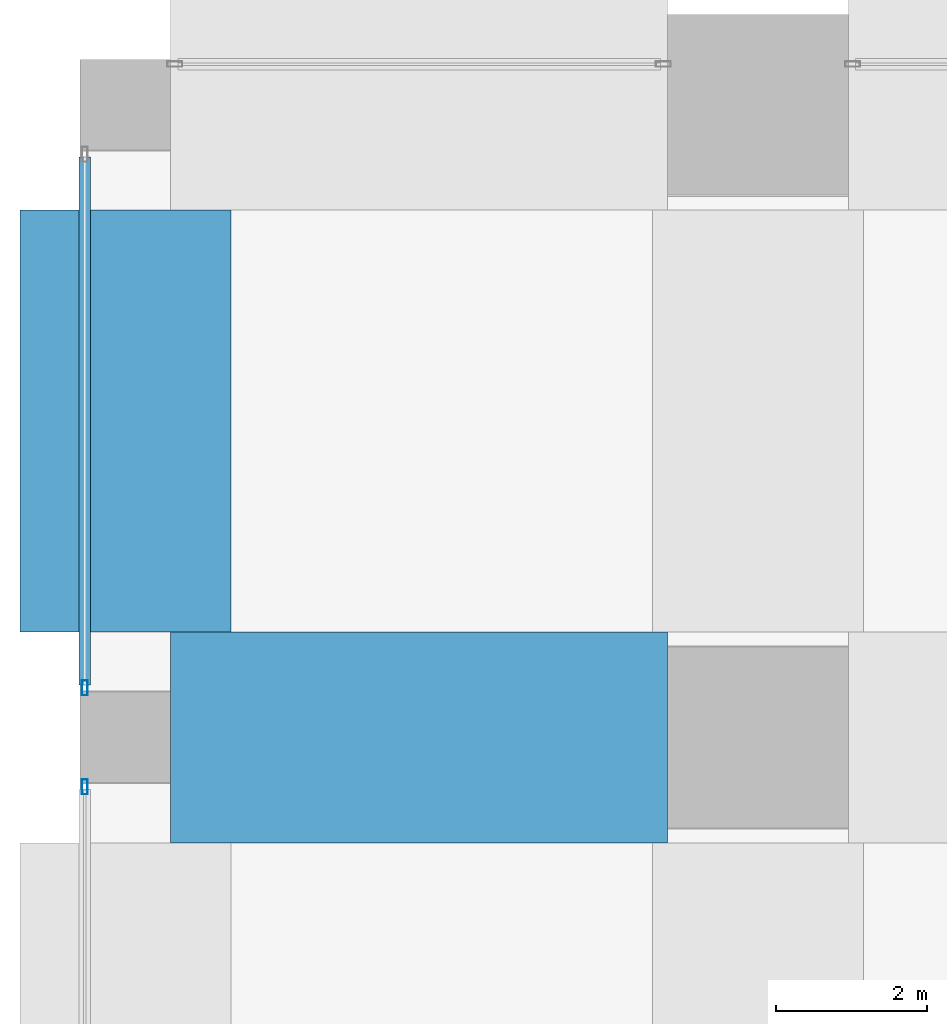
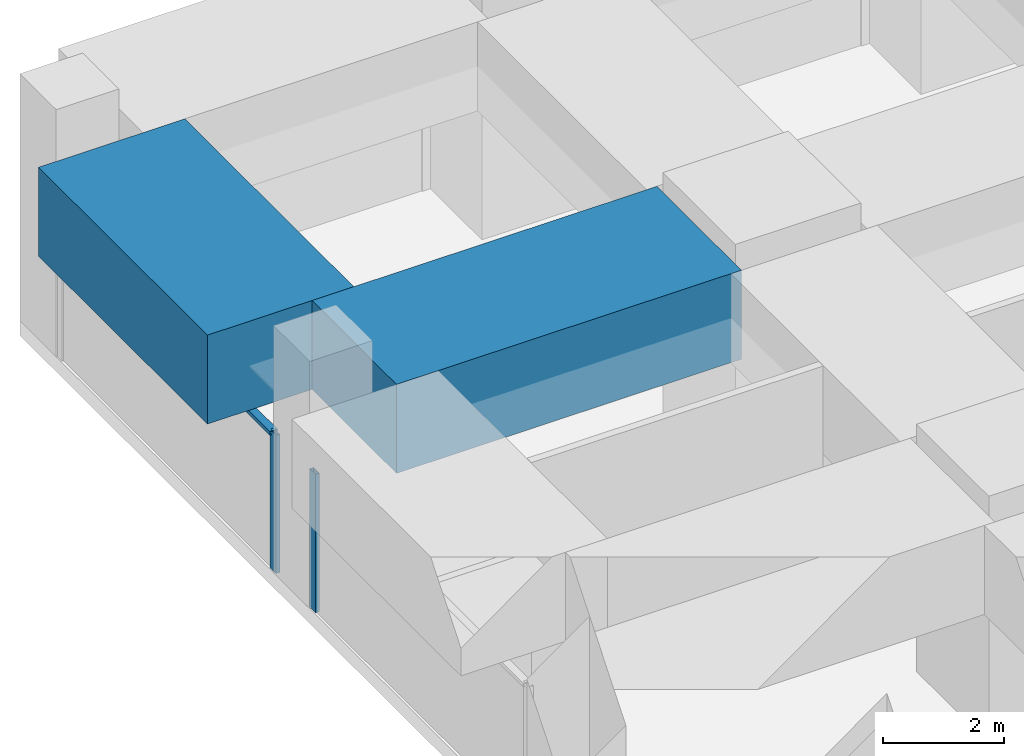
# One storey, part 21 of 52: 3 members, 2 beams, 2 elements without a shape of their own.
"""IFC4 building model written with IfcOpenShell, lengths in metres."""

from ifc_helpers import new_model, si_unit, direction, frame, origin, origin_2d, place, context, subcontext, project, spatial, rectangle, hollow_rectangle, extrude, material, material_profile, profile_set, type_object, element, aggregate, save


model = new_model("IFC4")

# Units and contexts
model_context = context("Model", 3, precision=1e-05, world=origin(), true_north=direction((0.0, 1.0)))
body_context = subcontext(model_context, "Body", "Model", "MODEL_VIEW")
ifc_project = project(units=[si_unit("LENGTHUNIT", "METRE"), si_unit("AREAUNIT", "SQUARE_METRE"), si_unit("VOLUMEUNIT", "CUBIC_METRE"), si_unit("PLANEANGLEUNIT", "RADIAN"), si_unit("MASSUNIT", "GRAM", prefix="KILO")], contexts=[model_context])

# Site, building, storey
site_placement = place(None, origin())
site = spatial("IfcSite", under=ifc_project, at=site_placement, CompositionType="ELEMENT")
building_placement = place(site_placement, origin())
building = spatial("IfcBuilding", under=site, at=building_placement, Name="Rekha Terrace Tower", CompositionType="ELEMENT")
storey_placement = place(building_placement, frame((0.0, 0.0, 20.39990234375)))
storey = spatial("IfcBuildingStorey", under=building, at=storey_placement, Name="L04", CompositionType="ELEMENT", Elevation=20.39990234375)

# Curtain wall, member
ifc_material_1 = material(Name="Aluminium framing", Category="aluminium")
curtain_wall_type = type_object("IfcCurtainWallType", Name="CW4 podium shopfront glazing", PredefinedType="USERDEFINED", material=ifc_material_1)
curtain_wall_1_placement = place(storey_placement, origin())
curtain_wall_1 = element("IfcCurtainWall", 1, at=curtain_wall_1_placement, inside=storey, type_object=curtain_wall_type, Name="CW4 shopfront curtain wall", ObjectType="SHOPFRONT CURTAIN WALL", PredefinedType="USERDEFINED")
ifc_material_2 = material(Name="Aluminium mullion section", Category="aluminium")
ifc_material_profile_1 = material_profile(ifc_material_2, hollow_rectangle(XDim=0.074951171875, YDim=0.199951171875, WallThickness=0.00390625, at=origin_2d()), Name="AL RHS 75x200")
ifc_profile_set_1 = profile_set([ifc_material_profile_1], Name="Aluminium mullion section")
member_type_1 = type_object("IfcMemberType", Name="CW4 mullion RHS 75 x 200", PredefinedType="MULLION", material=ifc_profile_set_1)
member_1_placement = place(storey_placement, frame((-0.5400390625, 51.0576171875, 0.0), z_axis=(0.0, 0.0, 1.0), x_axis=(1.0, 0.0, 0.0)))
member_1 = element("IfcMember", 2, at=member_1_placement, type_object=member_type_1, Name="CW4 mullion 2", PredefinedType="MULLION", context=body_context, shape_type="SweptSolid", body=[
    extrude(hollow_rectangle(XDim=0.074951171875, YDim=0.199951171875, WallThickness=0.00390625, at=origin_2d()), origin(), (0.0, 0.0, 1.0), 2.800048828125),
])

curtain_wall_2_placement = place(storey_placement, origin())
curtain_wall_2 = element("IfcCurtainWall", 3, at=curtain_wall_2_placement, inside=storey, type_object=curtain_wall_type, Name="CW4 shopfront curtain wall", ObjectType="SHOPFRONT CURTAIN WALL", PredefinedType="USERDEFINED")
member_2_placement = place(storey_placement, frame((-0.5400390625, 49.742431640625, 0.0), z_axis=(0.0, 0.0, 1.0), x_axis=(1.0, 0.0, 0.0)))
member_2 = element("IfcMember", 4, at=member_2_placement, type_object=member_type_1, Name="CW4 mullion 1", PredefinedType="MULLION", context=body_context, shape_type="SweptSolid", body=[
    extrude(hollow_rectangle(XDim=0.074951171875, YDim=0.199951171875, WallThickness=0.00390625, at=origin_2d()), origin(), (0.0, 0.0, 1.0), 2.800048828125),
])
aggregate(curtain_wall_2, [member_2])

# Member
ifc_material_3 = material(Name="Aluminium transom section", Category="aluminium")
ifc_material_profile_2 = material_profile(ifc_material_3, hollow_rectangle(XDim=0.14990234375, YDim=0.074951171875, WallThickness=0.0029296875, at=origin_2d()), Name="AL RHS 150x75")
ifc_profile_set_2 = profile_set([ifc_material_profile_2], Name="Aluminium transom section")
member_type_2 = type_object("IfcMemberType", Name="CW4 transom RHS 75 x 150", PredefinedType="USERDEFINED", material=ifc_profile_set_2)
member_3_placement = place(storey_placement, frame((-0.5400390625, 58.10498046875, 2.7626953125), z_axis=(0.0, -1.0, 0.0), x_axis=(1.0, 0.0, 0.0)))
member_3 = element("IfcMember", 5, at=member_3_placement, type_object=member_type_2, Name="CW4 transom 1.2", ObjectType="TRANSOM", PredefinedType="USERDEFINED", context=body_context, shape_type="SweptSolid", body=[
    extrude(hollow_rectangle(XDim=0.14990234375, YDim=0.074951171875, WallThickness=0.0029296875, at=origin_2d()), origin(), (0.0, 0.0, 1.0), 7.010009765625),
])

aggregate(curtain_wall_1, [member_1, member_3])

# Beams
ifc_material_4 = material(Name="Concrete M70", Category="concrete")
ifc_material_profile_3 = material_profile(ifc_material_4, rectangle(XDim=2.800048828125, YDim=1.800048828125, at=origin_2d()), Name="RC 2800x1800")
ifc_profile_set_3 = profile_set([ifc_material_profile_3], Name="Concrete M70")
beam_type = type_object("IfcBeamType", Name="G2 2800x1800 podium roof band beam", PredefinedType="BEAM", material=ifc_profile_set_3)
beam_1_placement = place(storey_placement, frame((0.60009765625, 50.39990234375, 3.7001953125), z_axis=(1.0, 0.0, 0.0), x_axis=(0.0, 1.0, 0.0)))
element("IfcBeam", 6, at=beam_1_placement, inside=storey, type_object=beam_type, Name="Beam G2 1G-2G under L05", PredefinedType="BEAM", context=body_context, shape_type="SweptSolid", body=[
    extrude(rectangle(XDim=2.800048828125, YDim=1.800048828125, at=origin_2d()), origin(), (0.0, 0.0, 1.0), 6.599853515625),
])
beam_2_placement = place(storey_placement, frame((0.0, 51.800048828125, 3.7001953125), z_axis=(0.0, 1.0, 0.0), x_axis=(-1.0, 0.0, 0.0)))
element("IfcBeam", 7, at=beam_2_placement, inside=storey, type_object=beam_type, Name="Beam G2 1G-1H under L05", PredefinedType="BEAM", context=body_context, shape_type="SweptSolid", body=[
    extrude(rectangle(XDim=2.800048828125, YDim=1.800048828125, at=origin_2d()), origin(), (0.0, 0.0, 1.0), 5.599853515625),
])

save(model, "model.ifc")
